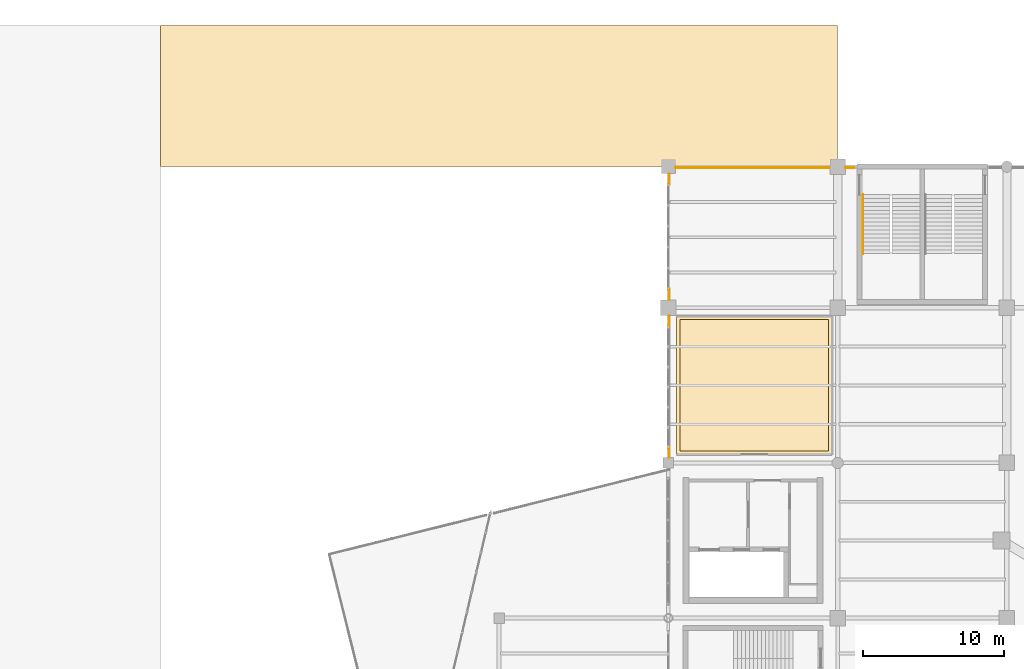
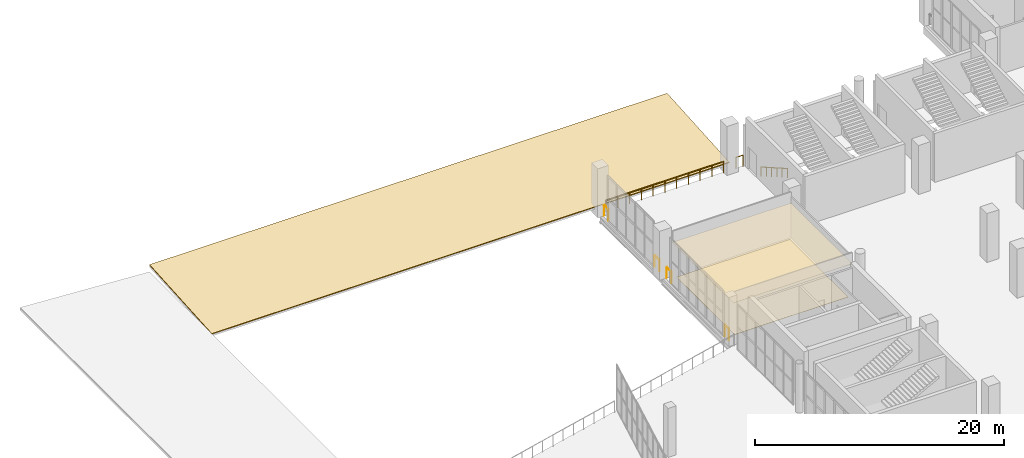
# One storey, part 128 of 136: 7 railings, 3 coverings.
"""IFC4 building model written with IfcOpenShell, lengths in metres."""

from ifc_helpers import new_model, si_unit, direction, frame, origin, origin_2d, place, context, subcontext, project, spatial, polyline, circle, outline, extrude, material, layer, layer_set, type_object, element, save


model = new_model("IFC4")

# Units and contexts
model_context = context("Model", 3, precision=1e-05, world=origin(), true_north=direction((0.0, 1.0)))
body_context = subcontext(model_context, "Body", "Model", "MODEL_VIEW")
ifc_project = project(units=[si_unit("LENGTHUNIT", "METRE"), si_unit("AREAUNIT", "SQUARE_METRE"), si_unit("VOLUMEUNIT", "CUBIC_METRE"), si_unit("PLANEANGLEUNIT", "RADIAN"), si_unit("MASSUNIT", "GRAM", prefix="KILO")], contexts=[model_context])

# Site, building, storey
site_placement = place(None, origin())
site = spatial("IfcSite", under=ifc_project, at=site_placement, CompositionType="ELEMENT")
building_placement = place(site_placement, origin())
building = spatial("IfcBuilding", under=site, at=building_placement, Name="Brinegate Civic Arena", CompositionType="ELEMENT")
storey_placement = place(building_placement, frame((0.0, 0.0, 5.39990234375)))
storey = spatial("IfcBuildingStorey", under=building, at=storey_placement, Name="L01", CompositionType="ELEMENT", Elevation=5.39990234375)

# Coverings
ifc_material_1 = material(Name="Acoustic perforated aluminium ceiling", Category="aluminium")
ifc_layer_1 = layer(ifc_material_1, 0.01806640625, Name="Acoustic perforated aluminium ceiling")
ifc_layer_set_1 = layer_set([ifc_layer_1], Name="Acoustic perforated aluminium ceiling")
covering_type_1 = type_object("IfcCoveringType", Name="CEILING-MOISTURE-18", PredefinedType="CEILING", material=ifc_layer_set_1)
covering_1_placement = place(storey_placement, frame((0.0, 0.0, 3.33203125)))
element("IfcCovering", 1, at=covering_1_placement, inside=storey, type_object=covering_type_1, Name="Acoustic Ceiling L01-006", PredefinedType="CEILING", context=body_context, shape_type="SweptSolid", body=[
    extrude(outline(polyline([(59.60400390625, 103.419921875), (59.60595703125, 103.4189453125), (59.60791015625, 103.41796875), (59.60888671875, 103.41796875), (59.611083984375, 103.4169921875), (59.613037109375, 103.4150390625), (59.614013671875, 103.4140625), (59.614990234375, 103.4130859375), (59.616943359375, 103.410888671875), (59.617919921875, 103.408935546875), (59.617919921875, 103.407958984375), (59.618896484375, 103.406005859375), (59.6201171875, 103.404052734375), (59.6201171875, 103.402099609375), (59.6201171875, 103.39990234375), (59.6201171875, 93.60009765625), (59.6201171875, 93.597900390625), (59.6201171875, 93.595947265625), (59.618896484375, 93.593994140625), (59.617919921875, 93.592041015625), (59.617919921875, 93.591064453125), (59.616943359375, 93.589111328125), (59.614990234375, 93.5869140625), (59.614013671875, 93.5859375), (59.613037109375, 93.5849609375), (59.611083984375, 93.5830078125), (59.60888671875, 93.58203125), (59.60791015625, 93.58203125), (59.60595703125, 93.5810546875), (59.60400390625, 93.580078125), (59.60205078125, 93.580078125), (59.60009765625, 93.580078125), (48.60009765625, 93.580078125), (48.597900390625, 93.580078125), (48.595947265625, 93.580078125), (48.593994140625, 93.5810546875), (48.592041015625, 93.58203125), (48.591064453125, 93.58203125), (48.589111328125, 93.5830078125), (48.5869140625, 93.5849609375), (48.5859375, 93.5859375), (48.5849609375, 93.5869140625), (48.5830078125, 93.589111328125), (48.58203125, 93.591064453125), (48.58203125, 93.592041015625), (48.5810546875, 93.593994140625), (48.580078125, 93.595947265625), (48.580078125, 93.597900390625), (48.580078125, 93.60009765625), (48.580078125, 103.39990234375), (48.580078125, 103.402099609375), (48.580078125, 103.404052734375), (48.5810546875, 103.406005859375), (48.58203125, 103.407958984375), (48.58203125, 103.408935546875), (48.5830078125, 103.410888671875), (48.5849609375, 103.4130859375), (48.5859375, 103.4140625), (48.5869140625, 103.4150390625), (48.589111328125, 103.4169921875), (48.591064453125, 103.41796875), (48.592041015625, 103.41796875), (48.593994140625, 103.4189453125), (48.595947265625, 103.419921875), (48.597900390625, 103.419921875), (48.60009765625, 103.419921875), (59.60009765625, 103.419921875), (59.60205078125, 103.419921875), (59.60400390625, 103.419921875)])), origin(), (0.0, 0.0, 1.0), 0.01806640625),
])
ifc_material_2 = material(Name="Polished coral terrazzo flooring")
ifc_layer_2 = layer(ifc_material_2, 0.013916015625, Name="Polished coral terrazzo flooring")
ifc_layer_set_2 = layer_set([ifc_layer_2], Name="Polished coral terrazzo flooring")
covering_type_2 = type_object("IfcCoveringType", Name="FLOORING-ACOUSTIC-14", PredefinedType="FLOORING", material=ifc_layer_set_2)
covering_2_placement = place(storey_placement, origin())
element("IfcCovering", 2, at=covering_2_placement, inside=storey, type_object=covering_type_2, Name="Flooring L01-006", PredefinedType="FLOORING", context=body_context, shape_type="SweptSolid", body=[
    extrude(outline(polyline([(48.830078125, 103.169921875), (59.3701171875, 103.169921875), (59.3701171875, 93.830078125), (48.830078125, 93.830078125), (48.830078125, 103.169921875)])), origin(), (0.0, 0.0, 1.0), 0.01416015625),
])

# Railings
ifc_material_3 = material(Name="Architectural stainless steel balustrade", Category="steel")
railing_type_1 = type_object("IfcRailingType", Name="RAIL-STAIR-HANDRAIL-900", PredefinedType="HANDRAIL", material=ifc_material_3)
railing_1_placement = place(storey_placement, frame((61.804931640625, 107.830078125, 2.400146484375)))
element("IfcRailing", 3, at=railing_1_placement, inside=storey, type_object=railing_type_1, Name="Stair Pitch Handrail ST-01A L01", PredefinedType="HANDRAIL", context=body_context, shape_type="SweptSolid", body=[
    extrude(circle(Radius=0.02392578125, at=origin_2d()), frame((0.0, 0.001220703125, 0.875), z_axis=(0.0, 0.868227612608, -0.496166114024), x_axis=(-1.0, 0.0, 0.0)), (0.0, 0.0, 1.0), 4.83447265625),
    extrude(circle(Radius=0.02099609375, at=origin_2d()), origin(), (0.0, 0.0, 1.0), 0.849853515625),
    extrude(circle(Radius=0.02099609375, at=origin_2d()), frame((0.0, 0.840087890625, -0.47998046875)), (0.0, 0.0, 1.0), 0.849853515625),
    extrude(circle(Radius=0.02099609375, at=origin_2d()), frame((0.0, 1.679931640625, -0.9599609375)), (0.0, 0.0, 1.0), 0.849853515625),
    extrude(circle(Radius=0.02099609375, at=origin_2d()), frame((0.0, 2.52001953125, -1.440185546875)), (0.0, 0.0, 1.0), 0.849853515625),
    extrude(circle(Radius=0.02099609375, at=origin_2d()), frame((0.0, 3.35986328125, -1.920166015625)), (0.0, 0.0, 1.0), 0.849853515625),
    extrude(circle(Radius=0.02099609375, at=origin_2d()), frame((0.0, 4.199951171875, -2.400146484375)), (0.0, 0.0, 1.0), 0.849853515625),
])
railing_type_2 = type_object("IfcRailingType", Name="RAIL-VOID-BALUSTRADE-1120", PredefinedType="BALUSTRADE", material=ifc_material_3)
railing_2_placement = place(storey_placement, frame((48.070068359375, 93.39501953125, 0.0)))
element("IfcRailing", 4, at=railing_2_placement, inside=storey, type_object=railing_type_2, Name="Deck Edge Balustrade L01-009", PredefinedType="BALUSTRADE", context=body_context, shape_type="SweptSolid", body=[
    extrude(circle(Radius=0.02392578125, at=origin_2d()), frame((0.0, 0.00146484375, 1.09619140625), z_axis=(0.0, 1.0, 0.0), x_axis=(-1.0, 0.0, 0.0)), (0.0, 0.0, 1.0), 0.68212890625),
    extrude(circle(Radius=0.02099609375, at=origin_2d()), origin(), (0.0, 0.0, 1.0), 1.070068359375),
    extrude(circle(Radius=0.02099609375, at=origin_2d()), frame((0.0, 0.68505859375, 0.0)), (0.0, 0.0, 1.0), 1.070068359375),
])
for number, where, name in (
    (5, (48.070068359375, 102.672119140625, 0.0), "Deck Edge Balustrade L01-010"),
    (6, (48.070068359375, 104.570068359375, 0.0), "Deck Edge Balustrade L01-011"),
):
    element("IfcRailing", number, at=place(storey_placement, frame(where)), inside=storey, type_object=railing_type_2, Name=name, PredefinedType="BALUSTRADE", context=body_context, shape_type="SweptSolid", body=[
        extrude(circle(Radius=0.02392578125, at=origin_2d()), frame((0.0, 0.00146484375, 1.09619140625), z_axis=(0.0, 1.0, 0.0), x_axis=(-1.0, 0.0, 0.0)), (0.0, 0.0, 1.0), 0.7548828125),
        extrude(circle(Radius=0.02099609375, at=origin_2d()), origin(), (0.0, 0.0, 1.0), 1.070068359375),
        extrude(circle(Radius=0.02099609375, at=origin_2d()), frame((0.0, 0.7578125, 0.0)), (0.0, 0.0, 1.0), 1.070068359375),
    ])
railing_3_placement = place(storey_placement, frame((48.070068359375, 112.742919921875, 0.0)))
element("IfcRailing", 7, at=railing_3_placement, inside=storey, type_object=railing_type_2, Name="Deck Edge Balustrade L01-012", PredefinedType="BALUSTRADE", context=body_context, shape_type="SweptSolid", body=[
    extrude(circle(Radius=0.02392578125, at=origin_2d()), frame((0.0, 0.00146484375, 1.09619140625), z_axis=(0.0, 1.0, 0.0), x_axis=(-1.0, 0.0, 0.0)), (0.0, 0.0, 1.0), 0.734130859375),
    extrude(circle(Radius=0.02099609375, at=origin_2d()), origin(), (0.0, 0.0, 1.0), 1.070068359375),
    extrude(circle(Radius=0.02099609375, at=origin_2d()), frame((0.0, 0.737060546875, 0.0)), (0.0, 0.0, 1.0), 1.070068359375),
])
railing_4_placement = place(storey_placement, frame((48.52001953125, 113.929931640625, 0.0)))
element("IfcRailing", 8, at=railing_4_placement, inside=storey, type_object=railing_type_2, Name="Deck Edge Balustrade L01-013", PredefinedType="BALUSTRADE", context=body_context, shape_type="SweptSolid", body=[
    extrude(circle(Radius=0.02392578125, at=origin_2d()), frame((0.00146484375, 0.0, 1.09619140625), z_axis=(1.0, 0.0, 0.0), x_axis=(0.0, 1.0, 0.0)), (0.0, 0.0, 1.0), 10.906982421875),
    extrude(circle(Radius=0.02099609375, at=origin_2d()), origin(), (0.0, 0.0, 1.0), 1.070068359375),
    extrude(circle(Radius=0.02099609375, at=origin_2d()), frame((1.091064453125, 0.0, 0.0)), (0.0, 0.0, 1.0), 1.070068359375),
    extrude(circle(Radius=0.02099609375, at=origin_2d()), frame((2.181884765625, 0.0, 0.0)), (0.0, 0.0, 1.0), 1.070068359375),
    extrude(circle(Radius=0.02099609375, at=origin_2d()), frame((3.27294921875, 0.0, 0.0)), (0.0, 0.0, 1.0), 1.070068359375),
    extrude(circle(Radius=0.02099609375, at=origin_2d()), frame((4.364013671875, 0.0, 0.0)), (0.0, 0.0, 1.0), 1.070068359375),
    extrude(circle(Radius=0.02099609375, at=origin_2d()), frame((5.455078125, 0.0, 0.0)), (0.0, 0.0, 1.0), 1.070068359375),
    extrude(circle(Radius=0.02099609375, at=origin_2d()), frame((6.5458984375, 0.0, 0.0)), (0.0, 0.0, 1.0), 1.070068359375),
    extrude(circle(Radius=0.02099609375, at=origin_2d()), frame((7.636962890625, 0.0, 0.0)), (0.0, 0.0, 1.0), 1.070068359375),
    extrude(circle(Radius=0.02099609375, at=origin_2d()), frame((8.72802734375, 0.0, 0.0)), (0.0, 0.0, 1.0), 1.070068359375),
    extrude(circle(Radius=0.02099609375, at=origin_2d()), frame((9.81884765625, 0.0, 0.0)), (0.0, 0.0, 1.0), 1.070068359375),
    extrude(circle(Radius=0.02099609375, at=origin_2d()), frame((10.909912109375, 0.0, 0.0)), (0.0, 0.0, 1.0), 1.070068359375),
])
railing_5_placement = place(storey_placement, frame((60.570068359375, 113.929931640625, 0.0)))
element("IfcRailing", 9, at=railing_5_placement, inside=storey, type_object=railing_type_2, Name="Deck Edge Balustrade L01-014", PredefinedType="BALUSTRADE", context=body_context, shape_type="SweptSolid", body=[
    extrude(circle(Radius=0.02392578125, at=origin_2d()), frame((0.00146484375, 0.0, 1.09619140625), z_axis=(1.0, 0.0, 0.0), x_axis=(0.0, 1.0, 0.0)), (0.0, 0.0, 1.0), 0.626953125),
    extrude(circle(Radius=0.02099609375, at=origin_2d()), origin(), (0.0, 0.0, 1.0), 1.070068359375),
    extrude(circle(Radius=0.02099609375, at=origin_2d()), frame((0.6298828125, 0.0, 0.0)), (0.0, 0.0, 1.0), 1.070068359375),
])

# Covering
ifc_material_4 = material(Name="Standing-seam insulated aluminium roofing", Category="aluminium")
ifc_layer_3 = layer(ifc_material_4, 0.080078125, Name="Standing-seam insulated aluminium roofing")
ifc_layer_set_3 = layer_set([ifc_layer_3], Name="Standing-seam insulated aluminium roofing")
covering_type_3 = type_object("IfcCoveringType", Name="ROOFING-CANOPY-SEAM-80", PredefinedType="ROOFING", material=ifc_layer_set_3)
covering_3_placement = place(storey_placement, frame((12.0, 114.0, 0.78515625), z_axis=(0.0, -0.069824280555, 0.99755930643), x_axis=(1.0, 0.0, 0.0)))
element("IfcCovering", 10, at=covering_3_placement, inside=storey, type_object=covering_type_3, Name="Standing Seam Roof Covering RFG-010", PredefinedType="ROOFING", context=body_context, shape_type="SweptSolid", body=[
    extrude(outline(polyline([(0.0, 0.0), (48.0, 0.0), (48.0, 10.024466651299171), (0.0, 10.024466651299171), (0.0, 0.0)])), origin(), (0.0, 0.0, -1.0), 0.080078125),
])

save(model, "model.ifc")
